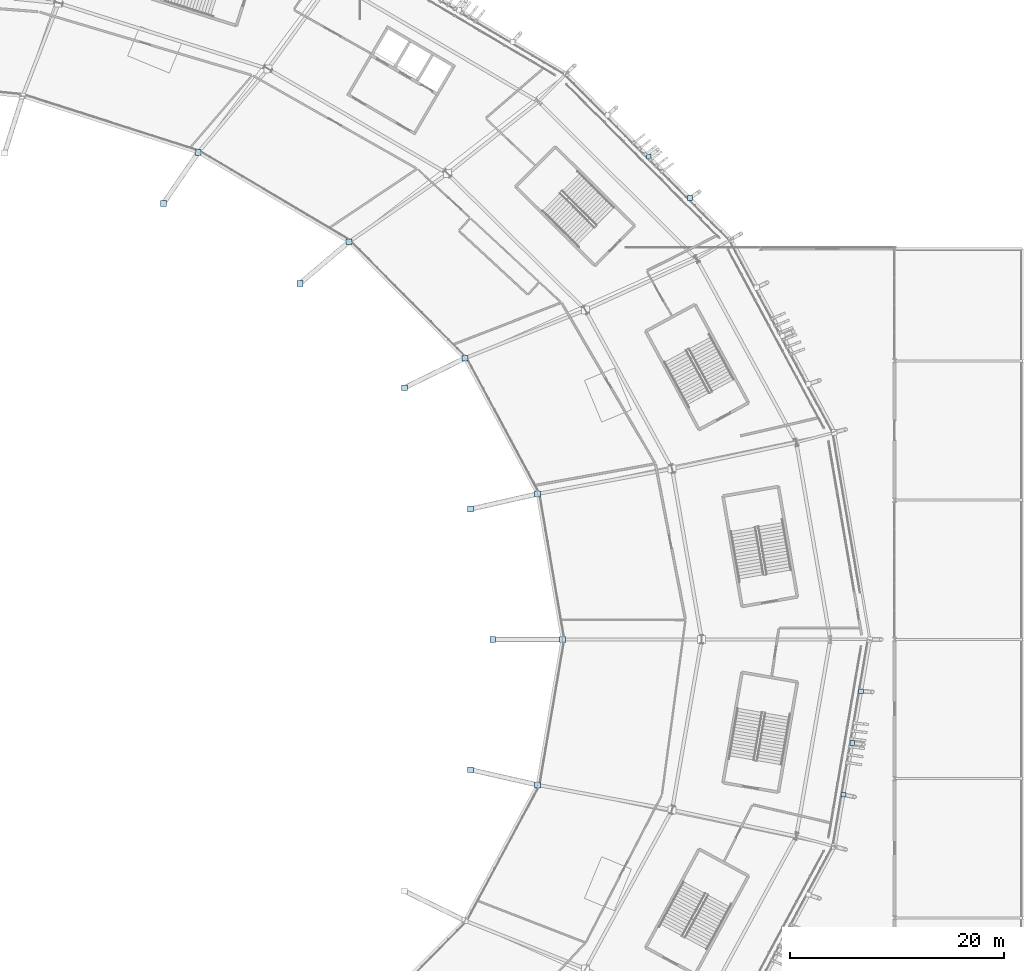
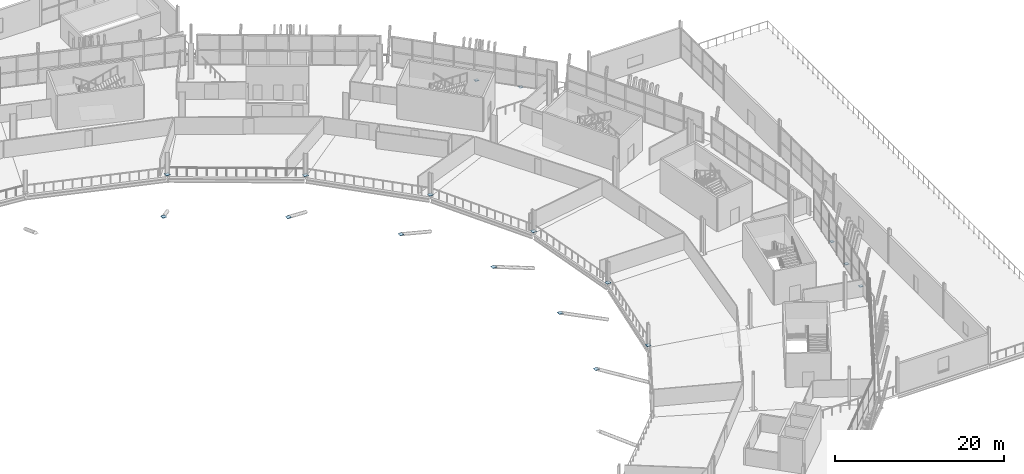
# One storey, part 107 of 168: 17 plates.
"""IFC4 building model written with IfcOpenShell, lengths in metres."""

from ifc_helpers import new_model, si_unit, direction, frame, origin, origin_2d, place, context, subcontext, project, spatial, rectangle, extrude, material, layer, layer_set, type_object, element, save


model = new_model("IFC4")

# Units and contexts
model_context = context("Model", 3, precision=1e-05, world=origin(), true_north=direction((0.0, 1.0)))
body_context = subcontext(model_context, "Body", "Model", "MODEL_VIEW")
ifc_project = project(units=[si_unit("LENGTHUNIT", "METRE"), si_unit("AREAUNIT", "SQUARE_METRE"), si_unit("VOLUMEUNIT", "CUBIC_METRE"), si_unit("PLANEANGLEUNIT", "RADIAN"), si_unit("MASSUNIT", "GRAM", prefix="KILO")], contexts=[model_context])

# Site, building, storey
site_placement = place(None, origin())
site = spatial("IfcSite", under=ifc_project, at=site_placement, CompositionType="ELEMENT")
building_placement = place(site_placement, origin())
building = spatial("IfcBuilding", under=site, at=building_placement, Name="Zlatoyarsky Gate Stadium", CompositionType="ELEMENT")
storey_placement = place(building_placement, frame((0.0, 0.0, 15.60009765625)))
storey = spatial("IfcBuildingStorey", under=building, at=storey_placement, Name="L03", CompositionType="ELEMENT", Elevation=15.60009765625)

# Plates
ifc_material = material(Name="Steel S355", Category="steel")
ifc_layer = layer(ifc_material, 0.02392578125)
ifc_layer_set = layer_set([ifc_layer], Name="Steel S355")
plate_type = type_object("IfcPlateType", Name="STEEL HOLLOW CHORD SPLICE SHEET 24", PredefinedType="SHEET", material=ifc_layer_set)
for number, where, z_axis, x_axis, name in (
    (1, (172.5, 80.0, -1.761962890625), (0.0, 0.0, 1.0), (1.0, 0.0, 0.0), "Node closure plate ND-SP1 NCAP-UTIP-00"),
    (2, (179.0, 80.0, 0.337890625), (0.0, 0.0, 1.0), (1.0, 0.0, 0.0), "Node closure plate ND-SP1 NCAP-UTOPB-00"),
    (3, (170.404296875, 92.16455078125, -1.761962890625), (0.0, 0.0, 1.0), (1.0, 0.0, 0.0), "Node closure plate ND-SP1 NCAP-UTIP-01"),
    (4, (176.68310546875, 93.587890625, 0.337890625), (0.0, 0.0, 1.0), (1.0, 0.0, 0.0), "Node closure plate ND-SP1 NCAP-UTOPB-01"),
    (5, (164.260498046875, 103.5, -1.761962890625), (0.0, 0.0, 1.0), (1.0, 0.0, 0.0), "Node closure plate ND-SP1 NCAP-UTIP-02"),
    (6, (169.8896484375, 106.25, 0.337890625), (0.0, 0.0, 1.0), (1.0, 0.0, 0.0), "Node closure plate ND-SP1 NCAP-UTOPB-02"),
    (7, (154.487060546875, 113.23388671875, -1.761962890625), (0.0, 0.0, 1.0), (1.0, 0.0, 0.0), "Node closure plate ND-SP1 NCAP-UTIP-03"),
    (8, (159.083251953125, 117.123046875, 0.337890625), (0.0, 0.0, 1.0), (1.0, 0.0, 0.0), "Node closure plate ND-SP1 NCAP-UTOPB-03"),
    (9, (141.75, 120.703125, -1.761962890625), (0.0, 0.0, 1.0), (1.0, 0.0, 0.0), "Node closure plate ND-SP1 NCAP-UTIP-04"),
    (10, (145.0, 125.46630859375, 0.337890625), (0.0, 0.0, 1.0), (1.0, 0.0, 0.0), "Node closure plate ND-SP1 NCAP-UTOPB-04"),
    (11, (170.404296875, 67.83544921875, -1.761962890625), (0.0, 0.0, 1.0), (1.0, 0.0, 0.0), "Node closure plate ND-SP1 NCAP-UTIP-23"),
    (12, (176.68310546875, 66.412109375, 0.337890625), (0.0, 0.0, 1.0), (1.0, 0.0, 0.0), "Node closure plate ND-SP1 NCAP-UTOPB-23"),
):
    element("IfcPlate", number, at=place(storey_placement, frame(where, z_axis=z_axis, x_axis=x_axis)), inside=storey, type_object=plate_type, Name=name, PredefinedType="SHEET", context=body_context, shape_type="SweptSolid", body=[
        extrude(rectangle(XDim=0.5400390625, YDim=0.5400390625, at=origin_2d()), origin(), (0.0, 0.0, 1.0), 0.02392578125),
    ])
for number, where, z_axis, x_axis, name in (
    (13, (190.90478515625, 121.218994140625, -0.5419921875), (0.0, 0.0, 1.0), (1.0, 0.0, 0.0), "Node closure plate ND-SP1 NCAP-RIB-02-1-1T"),
    (14, (187.062744140625, 125.086669921875, -0.5419921875), (0.0, 0.0, 1.0), (1.0, 0.0, 0.0), "Node closure plate ND-SP1 NCAP-RIB-02-2-1T"),
    (15, (205.23095703125, 65.499267578125, -0.5419921875), (0.0, 0.0, 1.0), (1.0, 0.0, 0.0), "Node closure plate ND-SP1 NCAP-RIB-23-1-1T"),
    (16, (206.0546875, 70.332763671875, -0.5419921875), (0.0, 0.0, 1.0), (1.0, 0.0, 0.0), "Node closure plate ND-SP1 NCAP-RIB-23-2-1T"),
    (17, (206.87841796875, 75.16650390625, -0.5419921875), (0.0, 0.0, 1.0), (1.0, 0.0, 0.0), "Node closure plate ND-SP1 NCAP-RIB-23-3-1T"),
):
    element("IfcPlate", number, at=place(storey_placement, frame(where, z_axis=z_axis, x_axis=x_axis)), inside=storey, type_object=plate_type, Name=name, PredefinedType="SHEET", context=body_context, shape_type="SweptSolid", body=[
        extrude(rectangle(XDim=0.43994140625, YDim=0.43994140625, at=origin_2d()), origin(), (0.0, 0.0, 1.0), 0.02392578125),
    ])

save(model, "model.ifc")
